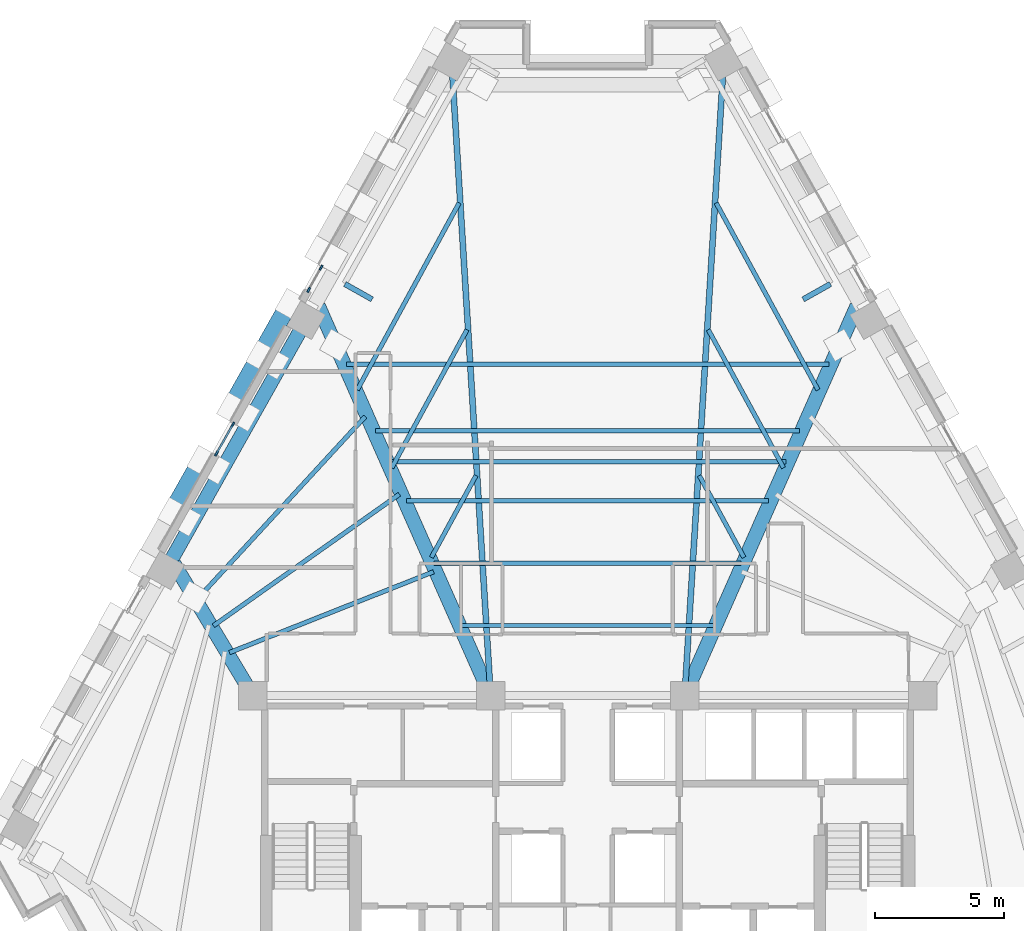
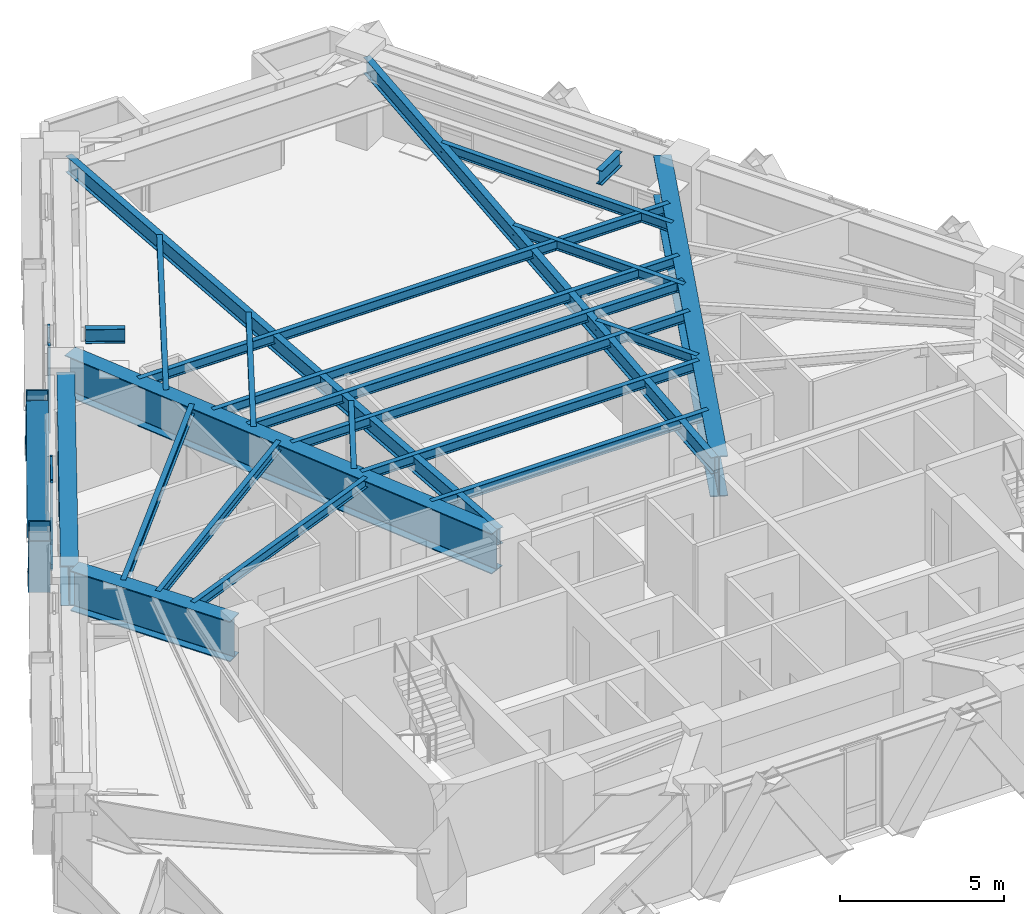
# One storey, part 3 of 13: 23 beams, 10 members, 2 elements without a shape of their own.
"""IFC4 building model written with IfcOpenShell, lengths in metres."""

from ifc_helpers import new_model, si_unit, direction, frame, origin, origin_2d, place, context, subcontext, project, spatial, rectangle, hollow_rectangle, i_section, extrude, material, material_profile, profile_set, type_object, element, aggregate, save


model = new_model("IFC4")

# Units and contexts
model_context = context("Model", 3, precision=1e-05, world=origin(), true_north=direction((0.0, 1.0)))
body_context = subcontext(model_context, "Body", "Model", "MODEL_VIEW")
ifc_project = project(units=[si_unit("LENGTHUNIT", "METRE"), si_unit("AREAUNIT", "SQUARE_METRE"), si_unit("VOLUMEUNIT", "CUBIC_METRE"), si_unit("PLANEANGLEUNIT", "RADIAN"), si_unit("MASSUNIT", "GRAM", prefix="KILO")], contexts=[model_context])

# Site, building, storey
site_placement = place(None, origin())
site = spatial("IfcSite", under=ifc_project, at=site_placement, CompositionType="ELEMENT")
building_placement = place(site_placement, origin())
building = spatial("IfcBuilding", under=site, at=building_placement, Name="Quenlor Broadcast Tower", CompositionType="ELEMENT")
storey_placement = place(building_placement, frame((0.0, 0.0, 126.5)))
storey = spatial("IfcBuildingStorey", under=building, at=storey_placement, Name="L34", CompositionType="ELEMENT", Elevation=126.5)

# Curtain wall, members
ifc_material_1 = material(Name="Architectural Terracotta and Low-E Glazing", Category="masonry")
curtain_wall_type = type_object("IfcCurtainWallType", Name="Unitised Terracotta Curtain Wall System Z2", PredefinedType="NOTDEFINED", material=ifc_material_1)
curtain_wall_1_placement = place(storey_placement, origin())
curtain_wall_1 = element("IfcCurtainWall", 1, at=curtain_wall_1_placement, inside=storey, type_object=curtain_wall_type, Name="L34 Curtain Wall CW2 (L34-NWC-G1)", PredefinedType="NOTDEFINED")
ifc_material_2 = material(Name="Aluminium 6063-T6", Category="aluminium")
ifc_material_profile_1 = material_profile(ifc_material_2, rectangle(XDim=0.074951171875, YDim=0.199951171875, at=origin_2d()))
ifc_profile_set_1 = profile_set([ifc_material_profile_1], Name="Aluminium 6063-T6 MULL75x200")
member_type_1 = type_object("IfcMemberType", Name="CW2 Aluminium Mullion MULL_CW2", PredefinedType="MULLION", material=ifc_profile_set_1)
member_1_placement = place(storey_placement, frame((-10.7880859375, 10.894775390625, 0.0), z_axis=(0.0, 0.0, 1.0), x_axis=(-0.871580587336, 0.490252261371, 0.0)))
member_1 = element("IfcMember", 2, at=member_1_placement, type_object=member_type_1, Name="CW2 mullion 1", PredefinedType="MULLION", context=body_context, shape_type="SweptSolid", body=[
    extrude(rectangle(XDim=0.074951171875, YDim=0.199951171875, at=origin_2d()), origin(), (0.0, 0.0, 1.0), 3.25),
])
member_2_placement = place(storey_placement, frame((-10.306396484375, 11.751220703125, 0.0), z_axis=(0.0, 0.0, 1.0), x_axis=(-0.871580587336, 0.490252261371, 0.0)))
member_2 = element("IfcMember", 3, at=member_2_placement, type_object=member_type_1, Name="CW2 mullion 2", PredefinedType="MULLION", context=body_context, shape_type="SweptSolid", body=[
    extrude(rectangle(XDim=0.074951171875, YDim=0.199951171875, at=origin_2d()), origin(), (0.0, 0.0, 1.0), 3.25),
])
aggregate(curtain_wall_1, [member_1, member_2])

curtain_wall_2_placement = place(storey_placement, origin())
curtain_wall_2 = element("IfcCurtainWall", 4, at=curtain_wall_2_placement, inside=storey, type_object=curtain_wall_type, Name="L34 Curtain Wall CW2 (L34-NW-G1)", PredefinedType="NOTDEFINED")
member_3_placement = place(storey_placement, frame((-14.3515625, 4.559814453125, 0.0), z_axis=(0.0, 0.0, 1.0), x_axis=(-0.871579452423, 0.490254279037, 0.0)))
member_3 = element("IfcMember", 5, at=member_3_placement, type_object=member_type_1, Name="CW2 mullion 1", PredefinedType="MULLION", context=body_context, shape_type="SweptSolid", body=[
    extrude(rectangle(XDim=0.074951171875, YDim=0.199951171875, at=origin_2d()), origin(), (0.0, 0.0, 1.0), 3.25),
])
member_4_placement = place(storey_placement, frame((-13.719482421875, 5.683349609375, 0.0), z_axis=(0.0, 0.0, 1.0), x_axis=(-0.871579452423, 0.490254279037, 0.0)))
member_4 = element("IfcMember", 6, at=member_4_placement, type_object=member_type_1, Name="CW2 mullion 2", PredefinedType="MULLION", context=body_context, shape_type="SweptSolid", body=[
    extrude(rectangle(XDim=0.074951171875, YDim=0.199951171875, at=origin_2d()), origin(), (0.0, 0.0, 1.0), 3.25),
])
ifc_material_3 = material(Name="Aluminium 6063-T6", Category="aluminium")
ifc_material_profile_2 = material_profile(ifc_material_3, rectangle(XDim=0.074951171875, YDim=0.1650390625, at=origin_2d()))
ifc_profile_set_2 = profile_set([ifc_material_profile_2], Name="Aluminium 6063-T6 TRAN75x165")
member_type_2 = type_object("IfcMemberType", Name="CW2 Aluminium Transom TRAN_CW2", PredefinedType="USERDEFINED", material=ifc_profile_set_2)
member_5_placement = place(storey_placement, frame((-14.333251953125, 4.592529296875, 0.03759765625), z_axis=(0.490433072585, 0.871478858788, 0.0), x_axis=(-0.871478858788, 0.490433072585, 0.0)))
member_5 = element("IfcMember", 7, at=member_5_placement, type_object=member_type_2, Name="CW2 transom 1.1", ObjectType="TRANSOM", PredefinedType="USERDEFINED", context=body_context, shape_type="SweptSolid", body=[
    extrude(rectangle(XDim=0.074951171875, YDim=0.1650390625, at=origin_2d()), origin(), (0.0, 0.0, 1.0), 1.214111328125),
])
member_6_placement = place(storey_placement, frame((-14.333251953125, 4.592529296875, 0.949951171875), z_axis=(0.490433072585, 0.871478858788, 0.0), x_axis=(-0.871478858788, 0.490433072585, 0.0)))
member_6 = element("IfcMember", 8, at=member_6_placement, type_object=member_type_2, Name="CW2 transom 1.2", ObjectType="TRANSOM", PredefinedType="USERDEFINED", context=body_context, shape_type="SweptSolid", body=[
    extrude(rectangle(XDim=0.074951171875, YDim=0.1650390625, at=origin_2d()), origin(), (0.0, 0.0, 1.0), 1.214111328125),
])
member_7_placement = place(storey_placement, frame((-14.333251953125, 4.592529296875, 3.21240234375), z_axis=(0.490433072585, 0.871478858788, 0.0), x_axis=(-0.871478858788, 0.490433072585, 0.0)))
member_7 = element("IfcMember", 9, at=member_7_placement, type_object=member_type_2, Name="CW2 transom 1.3", ObjectType="TRANSOM", PredefinedType="USERDEFINED", context=body_context, shape_type="SweptSolid", body=[
    extrude(rectangle(XDim=0.074951171875, YDim=0.1650390625, at=origin_2d()), origin(), (0.0, 0.0, 1.0), 1.214111328125),
])
aggregate(curtain_wall_2, [member_3, member_4, member_5, member_6, member_7])

# Members
ifc_material_4 = material(Name="Steel S355", Category="steel")
ifc_material_profile_3 = material_profile(ifc_material_4, hollow_rectangle(XDim=0.679931640625, YDim=0.679931640625, WallThickness=0.030029296875, at=origin_2d()))
ifc_profile_set_3 = profile_set([ifc_material_profile_3], Name="Steel S355 RHS680x680x30")
member_type_3 = type_object("IfcMemberType", Name="Perimeter Diagonal Lattice Brace Z2 Steel S355 RHS680x30", PredefinedType="BRACE", material=ifc_profile_set_3)
for number, where, z_axis, x_axis, name in (
    (10, (-13.80419921875, 6.338623046875, -0.1201171875), (0.268642373731, 0.477592925498, 0.83650240439), (-0.871578380919, 0.490256183964, 0.0), "L34 Perimeter Diamond Lattice NW-C3S"),
    (11, (-14.955322265625, 4.291748046875, -0.1201171875), (-0.268696511206, -0.477585438485, 0.836489290913), (0.871532878923, -0.490337068716, 0.0), "L34 Perimeter Diamond Lattice NW-C3B"),
):
    element("IfcMember", number, at=place(storey_placement, frame(where, z_axis=z_axis, x_axis=x_axis)), inside=storey, type_object=member_type_3, Name=name, PredefinedType="BRACE", context=body_context, shape_type="SweptSolid", body=[
        extrude(hollow_rectangle(XDim=0.679931640625, YDim=0.679931640625, WallThickness=0.030029296875, at=origin_2d()), origin(), (0.0, 0.0, 1.0), 4.18408203125),
    ])
member_8_placement = place(storey_placement, frame((-11.54248046875, 10.359619140625, -0.1201171875), z_axis=(-0.268634887212, -0.477637964099, 0.83647909276), x_axis=(0.871603971106, -0.490210686901, 0.0)))
element("IfcMember", 12, at=member_8_placement, inside=storey, type_object=member_type_3, Name="L34 Perimeter Diamond Lattice NW-C4B", PredefinedType="BRACE", context=body_context, shape_type="SweptSolid", body=[
    extrude(hollow_rectangle(XDim=0.679931640625, YDim=0.679931640625, WallThickness=0.030029296875, at=origin_2d()), origin(), (0.0, 0.0, 1.0), 4.184326171875),
])

# Beams
ifc_material_5 = material(Name="Steel S355", Category="steel")
ifc_material_profile_4 = material_profile(ifc_material_5, i_section(OverallWidth=0.208984375, OverallDepth=0.532958984375, WebThickness=0.01025390625, FlangeThickness=0.015625, FilletRadius=0.013916015625, at=origin_2d()))
ifc_profile_set_4 = profile_set([ifc_material_profile_4], Name="Steel S355 530UB92.4")
beam_type_1 = type_object("IfcBeamType", Name="Perimeter Spandrel Beam Z1 Steel S355 530UB92.4", PredefinedType="SPANDREL", material=ifc_profile_set_4)
for number, where, z_axis, x_axis, name in (
    (13, (8.33349609375, 10.5244140625, 2.9833984375), (0.871575537125, 0.490261239633, 0.0), (-0.490261239633, 0.871575537125, 0.0), "L34 Lattice Sill Radial Tie NEA2"),
    (14, (-8.33349609375, 10.5244140625, 2.9833984375), (-0.871575537125, 0.490261239633, 0.0), (-0.490261239633, -0.871575537125, 0.0), "L34 Lattice Sill Radial Tie NWB1"),
):
    element("IfcBeam", number, at=place(storey_placement, frame(where, z_axis=z_axis, x_axis=x_axis)), inside=storey, type_object=beam_type_1, Name=name, PredefinedType="SPANDREL", context=body_context, shape_type="SweptSolid", body=[
        extrude(i_section(OverallWidth=0.208984375, OverallDepth=0.532958984375, WebThickness=0.01025390625, FlangeThickness=0.015625, FilletRadius=0.013916015625, at=origin_2d()), origin(), (0.0, 0.0, 1.0), 1.210205078125),
    ])
ifc_material_6 = material(Name="Steel S355", Category="steel")
ifc_material_profile_5 = material_profile(ifc_material_6, i_section(OverallWidth=0.172119140625, OverallDepth=0.358642578125, WebThickness=0.008056640625, FlangeThickness=0.012939453125, FilletRadius=0.011474609375, at=origin_2d()))
ifc_profile_set_5 = profile_set([ifc_material_profile_5], Name="Steel S355 360UB56.7")
beam_type_2 = type_object("IfcBeamType", Name="Tower Composite Joist Z2-Z3 Steel S355 360UB56.7", PredefinedType="JOIST", material=ifc_profile_set_5)
beam_1_placement = place(storey_placement, frame((-4.869384765625, -2.087646484375, 3.07080078125), z_axis=(1.0, 0.0, 0.0), x_axis=(0.0, 1.0, 0.0)))
element("IfcBeam", 15, at=beam_1_placement, inside=storey, type_object=beam_type_2, Name="L34 Secondary Composite Joist 1", PredefinedType="JOIST", context=body_context, shape_type="SweptSolid", body=[
    extrude(i_section(OverallWidth=0.172119140625, OverallDepth=0.358642578125, WebThickness=0.008056640625, FlangeThickness=0.012939453125, FilletRadius=0.011474609375, at=origin_2d()), origin(), (0.0, 0.0, 1.0), 9.73876953125),
])
beam_2_placement = place(storey_placement, frame((-7.667724609375, 4.240966796875, 3.07080078125), z_axis=(1.0, 0.0, 0.0), x_axis=(0.0, 1.0, 0.0)))
element("IfcBeam", 16, at=beam_2_placement, inside=storey, type_object=beam_type_2, Name="L34 Secondary Composite Joist 2", PredefinedType="JOIST", context=body_context, shape_type="SweptSolid", body=[
    extrude(i_section(OverallWidth=0.172119140625, OverallDepth=0.358642578125, WebThickness=0.008056640625, FlangeThickness=0.012939453125, FilletRadius=0.011474609375, at=origin_2d()), origin(), (0.0, 0.0, 1.0), 15.33544921875),
])
beam_3_placement = place(storey_placement, frame((-5.935302734375, 0.3232421875, 3.07080078125), z_axis=(1.0, 0.0, 0.0), x_axis=(0.0, 1.0, 0.0)))
element("IfcBeam", 17, at=beam_3_placement, inside=storey, type_object=beam_type_2, Name="L34 Secondary Composite Joist 3", PredefinedType="JOIST", context=body_context, shape_type="SweptSolid", body=[
    extrude(i_section(OverallWidth=0.172119140625, OverallDepth=0.358642578125, WebThickness=0.008056640625, FlangeThickness=0.012939453125, FilletRadius=0.011474609375, at=origin_2d()), origin(), (0.0, 0.0, 1.0), 11.87060546875),
])
beam_4_placement = place(storey_placement, frame((-7.00146484375, 2.734130859375, 3.07080078125), z_axis=(1.0, 0.0, 0.0), x_axis=(0.0, 1.0, 0.0)))
element("IfcBeam", 18, at=beam_4_placement, inside=storey, type_object=beam_type_2, Name="L34 Secondary Composite Joist 4", PredefinedType="JOIST", context=body_context, shape_type="SweptSolid", body=[
    extrude(i_section(OverallWidth=0.172119140625, OverallDepth=0.358642578125, WebThickness=0.008056640625, FlangeThickness=0.012939453125, FilletRadius=0.011474609375, at=origin_2d()), origin(), (0.0, 0.0, 1.0), 14.0029296875),
])
beam_5_placement = place(storey_placement, frame((-8.20068359375, 5.4462890625, 3.07080078125), z_axis=(1.0, 0.0, 0.0), x_axis=(0.0, 1.0, 0.0)))
element("IfcBeam", 19, at=beam_5_placement, inside=storey, type_object=beam_type_2, Name="L34 Secondary Composite Joist 5", PredefinedType="JOIST", context=body_context, shape_type="SweptSolid", body=[
    extrude(i_section(OverallWidth=0.172119140625, OverallDepth=0.358642578125, WebThickness=0.008056640625, FlangeThickness=0.012939453125, FilletRadius=0.011474609375, at=origin_2d()), origin(), (0.0, 0.0, 1.0), 16.4013671875),
])
beam_6_placement = place(storey_placement, frame((-9.33349609375, 8.008056640625, 3.07080078125), z_axis=(1.0, 0.0, 0.0), x_axis=(0.0, 1.0, 0.0)))
element("IfcBeam", 20, at=beam_6_placement, inside=storey, type_object=beam_type_2, Name="L34 Secondary Composite Joist 6", PredefinedType="JOIST", context=body_context, shape_type="SweptSolid", body=[
    extrude(i_section(OverallWidth=0.172119140625, OverallDepth=0.358642578125, WebThickness=0.008056640625, FlangeThickness=0.012939453125, FilletRadius=0.011474609375, at=origin_2d()), origin(), (0.0, 0.0, 1.0), 18.6669921875),
])
beam_7_placement = place(storey_placement, frame((-13.851806640625, -3.13525390625, 3.07080078125), z_axis=(0.929706761821, 0.368300606874, 0.0), x_axis=(-0.368300606874, 0.929706761821, 0.0)))
element("IfcBeam", 21, at=beam_7_placement, inside=storey, type_object=beam_type_2, Name="L34 Secondary Composite Joist 7", PredefinedType="JOIST", context=body_context, shape_type="SweptSolid", body=[
    extrude(i_section(OverallWidth=0.172119140625, OverallDepth=0.358642578125, WebThickness=0.008056640625, FlangeThickness=0.012939453125, FilletRadius=0.011474609375, at=origin_2d()), origin(), (0.0, 0.0, 1.0), 8.4921875),
])
beam_8_placement = place(storey_placement, frame((-14.470947265625, -2.096435546875, 3.07080078125), z_axis=(0.816445918649, 0.577421909804, 0.0), x_axis=(-0.577421909804, 0.816445918649, 0.0)))
element("IfcBeam", 22, at=beam_8_placement, inside=storey, type_object=beam_type_2, Name="L34 Secondary Composite Joist 8", PredefinedType="JOIST", context=body_context, shape_type="SweptSolid", body=[
    extrude(i_section(OverallWidth=0.172119140625, OverallDepth=0.358642578125, WebThickness=0.008056640625, FlangeThickness=0.012939453125, FilletRadius=0.011474609375, at=origin_2d()), origin(), (0.0, 0.0, 1.0), 8.8076171875),
])
beam_9_placement = place(storey_placement, frame((-15.09228515625, -1.061767578125, 3.07080078125), z_axis=(0.677219306064, 0.735781225294, 0.0), x_axis=(-0.735781225294, 0.677219306064, 0.0)))
element("IfcBeam", 23, at=beam_9_placement, inside=storey, type_object=beam_type_2, Name="L34 Secondary Composite Joist 9", PredefinedType="JOIST", context=body_context, shape_type="SweptSolid", body=[
    extrude(i_section(OverallWidth=0.172119140625, OverallDepth=0.358642578125, WebThickness=0.008056640625, FlangeThickness=0.012939453125, FilletRadius=0.011474609375, at=origin_2d()), origin(), (0.0, 0.0, 1.0), 9.58447265625),
])
beam_10_placement = place(storey_placement, frame((-4.317626953125, 3.71142578125, 3.07080078125), z_axis=(-0.478529626857, -0.878071407244, 0.0), x_axis=(0.878071407244, -0.478529626857, 0.0)))
element("IfcBeam", 24, at=beam_10_placement, inside=storey, type_object=beam_type_2, Name="L34 Secondary Composite Joist 25", PredefinedType="JOIST", context=body_context, shape_type="SweptSolid", body=[
    extrude(i_section(OverallWidth=0.172119140625, OverallDepth=0.358642578125, WebThickness=0.008056640625, FlangeThickness=0.012939453125, FilletRadius=0.011474609375, at=origin_2d()), origin(), (0.0, 0.0, 1.0), 3.60693359375),
])
beam_11_placement = place(storey_placement, frame((-4.665283203125, 9.350830078125, 3.07080078125), z_axis=(-0.478562448081, -0.878053519603, 0.0), x_axis=(0.878053519603, -0.478562448081, 0.0)))
element("IfcBeam", 25, at=beam_11_placement, inside=storey, type_object=beam_type_2, Name="L34 Secondary Composite Joist 26", PredefinedType="JOIST", context=body_context, shape_type="SweptSolid", body=[
    extrude(i_section(OverallWidth=0.172119140625, OverallDepth=0.358642578125, WebThickness=0.008056640625, FlangeThickness=0.012939453125, FilletRadius=0.011474609375, at=origin_2d()), origin(), (0.0, 0.0, 1.0), 6.08251953125),
])
beam_12_placement = place(storey_placement, frame((-4.968017578125, 14.254638671875, 3.07080078125), z_axis=(-0.47851352823, -0.878080180451, 0.0), x_axis=(0.878080180451, -0.47851352823, 0.0)))
element("IfcBeam", 26, at=beam_12_placement, inside=storey, type_object=beam_type_2, Name="L34 Secondary Composite Joist 27", PredefinedType="JOIST", context=body_context, shape_type="SweptSolid", body=[
    extrude(i_section(OverallWidth=0.172119140625, OverallDepth=0.358642578125, WebThickness=0.008056640625, FlangeThickness=0.012939453125, FilletRadius=0.011474609375, at=origin_2d()), origin(), (0.0, 0.0, 1.0), 8.2353515625),
])
beam_13_placement = place(storey_placement, frame((4.317626953125, 3.71142578125, 3.07080078125), z_axis=(0.478529626857, -0.878071407244, 0.0), x_axis=(0.878071407244, 0.478529626857, 0.0)))
element("IfcBeam", 27, at=beam_13_placement, inside=storey, type_object=beam_type_2, Name="L34 Secondary Composite Joist 28", PredefinedType="JOIST", context=body_context, shape_type="SweptSolid", body=[
    extrude(i_section(OverallWidth=0.172119140625, OverallDepth=0.358642578125, WebThickness=0.008056640625, FlangeThickness=0.012939453125, FilletRadius=0.011474609375, at=origin_2d()), origin(), (0.0, 0.0, 1.0), 3.60693359375),
])
beam_14_placement = place(storey_placement, frame((4.665283203125, 9.350830078125, 3.07080078125), z_axis=(0.478562448081, -0.878053519603, 0.0), x_axis=(0.878053519603, 0.478562448081, 0.0)))
element("IfcBeam", 28, at=beam_14_placement, inside=storey, type_object=beam_type_2, Name="L34 Secondary Composite Joist 29", PredefinedType="JOIST", context=body_context, shape_type="SweptSolid", body=[
    extrude(i_section(OverallWidth=0.172119140625, OverallDepth=0.358642578125, WebThickness=0.008056640625, FlangeThickness=0.012939453125, FilletRadius=0.011474609375, at=origin_2d()), origin(), (0.0, 0.0, 1.0), 6.08251953125),
])
beam_15_placement = place(storey_placement, frame((4.968017578125, 14.254638671875, 3.07080078125), z_axis=(0.47851352823, -0.878080180451, 0.0), x_axis=(0.878080180451, 0.47851352823, 0.0)))
element("IfcBeam", 29, at=beam_15_placement, inside=storey, type_object=beam_type_2, Name="L34 Secondary Composite Joist 30", PredefinedType="JOIST", context=body_context, shape_type="SweptSolid", body=[
    extrude(i_section(OverallWidth=0.172119140625, OverallDepth=0.358642578125, WebThickness=0.008056640625, FlangeThickness=0.012939453125, FilletRadius=0.011474609375, at=origin_2d()), origin(), (0.0, 0.0, 1.0), 8.2353515625),
])
ifc_material_7 = material(Name="Steel S355", Category="steel")
ifc_material_profile_6 = material_profile(ifc_material_7, i_section(OverallWidth=0.22802734375, OverallDepth=0.60205078125, WebThickness=0.010498046875, FlangeThickness=0.014892578125, FilletRadius=0.013916015625, at=origin_2d()))
ifc_profile_set_6 = profile_set([ifc_material_profile_6], Name="Steel S355 610UB101")
beam_type_3 = type_object("IfcBeamType", Name="Tower Primary Floor Beam Z2 Steel S355 610UB101", PredefinedType="BEAM", material=ifc_profile_set_6)
for number, where, z_axis, x_axis, name in (
    (30, (5.237060546875, 19.309814453125, 2.948974609375), (-0.061559977358, -0.998103386022, 0.0), (0.998103386022, -0.061559977358, 0.0), "L34 Primary Radial Beam NE4"),
    (31, (-5.237060546875, 19.309814453125, 2.948974609375), (0.061559977358, -0.998103386022, 0.0), (0.998103386022, 0.061559977358, 0.0), "L34 Primary Radial Beam NW1"),
):
    element("IfcBeam", number, at=place(storey_placement, frame(where, z_axis=z_axis, x_axis=x_axis)), inside=storey, type_object=beam_type_3, Name=name, PredefinedType="BEAM", context=body_context, shape_type="SweptSolid", body=[
        extrude(i_section(OverallWidth=0.22802734375, OverallDepth=0.60205078125, WebThickness=0.010498046875, FlangeThickness=0.014892578125, FilletRadius=0.013916015625, at=origin_2d()), origin(), (0.0, 0.0, 1.0), 23.775634765625),
    ])
ifc_material_8 = material(Name="Steel S355", Category="steel")
ifc_material_profile_7 = material_profile(ifc_material_8, i_section(OverallWidth=0.550048828125, OverallDepth=1.5, WebThickness=0.02197265625, FlangeThickness=0.034912109375, FilletRadius=0.01806640625, at=origin_2d()))
ifc_profile_set_7 = profile_set([ifc_material_profile_7], Name="Steel S355 1500TG510")
beam_type_4 = type_object("IfcBeamType", Name="Zone Setback Transfer Girder Steel S355 1500", PredefinedType="BEAM", material=ifc_profile_set_7)
beam_16_placement = place(storey_placement, frame((-11.087890625, 9.3623046875, 2.5), z_axis=(-0.49026462139, -0.871573634878, 0.0), x_axis=(0.871573634878, -0.49026462139, 0.0)))
element("IfcBeam", 32, at=beam_16_placement, inside=storey, type_object=beam_type_4, Name="L34 Spandrel Beam NW2-NW3", PredefinedType="BEAM", context=body_context, shape_type="SweptSolid", body=[
    extrude(i_section(OverallWidth=0.550048828125, OverallDepth=1.5, WebThickness=0.02197265625, FlangeThickness=0.034912109375, FilletRadius=0.01806640625, at=origin_2d()), origin(), (0.0, 0.0, 1.0), 10.28271484375),
])
for number, where, z_axis, x_axis, name in (
    (33, (3.90380859375, -4.452392578125, 2.5), (0.404399642214, 0.914582379765, 0.0), (-0.914582379765, 0.404399642214, 0.0), "L34 Setback Transfer Girder NE3"),
    (34, (-3.90380859375, -4.452392578125, 2.5), (-0.404399642214, 0.914582379765, 0.0), (-0.914582379765, -0.404399642214, 0.0), "L34 Setback Transfer Girder NW2"),
):
    element("IfcBeam", number, at=place(storey_placement, frame(where, z_axis=z_axis, x_axis=x_axis)), inside=storey, type_object=beam_type_4, Name=name, PredefinedType="BEAM", context=body_context, shape_type="SweptSolid", body=[
        extrude(i_section(OverallWidth=0.550048828125, OverallDepth=1.5, WebThickness=0.02197265625, FlangeThickness=0.034912109375, FilletRadius=0.01806640625, at=origin_2d()), origin(), (0.0, 0.0, 1.0), 16.095458984375),
    ])
beam_17_placement = place(storey_placement, frame((-13.144775390625, -4.4736328125, 2.5), z_axis=(-0.512561217571, 0.858650684646, 0.0), x_axis=(-0.858650684646, -0.512561217571, 0.0)))
element("IfcBeam", 35, at=beam_17_placement, inside=storey, type_object=beam_type_4, Name="L34 Setback Transfer Girder NW3", PredefinedType="BEAM", context=body_context, shape_type="SweptSolid", body=[
    extrude(i_section(OverallWidth=0.550048828125, OverallDepth=1.5, WebThickness=0.02197265625, FlangeThickness=0.034912109375, FilletRadius=0.01806640625, at=origin_2d()), origin(), (0.0, 0.0, 1.0), 5.571533203125),
])

save(model, "model.ifc")
